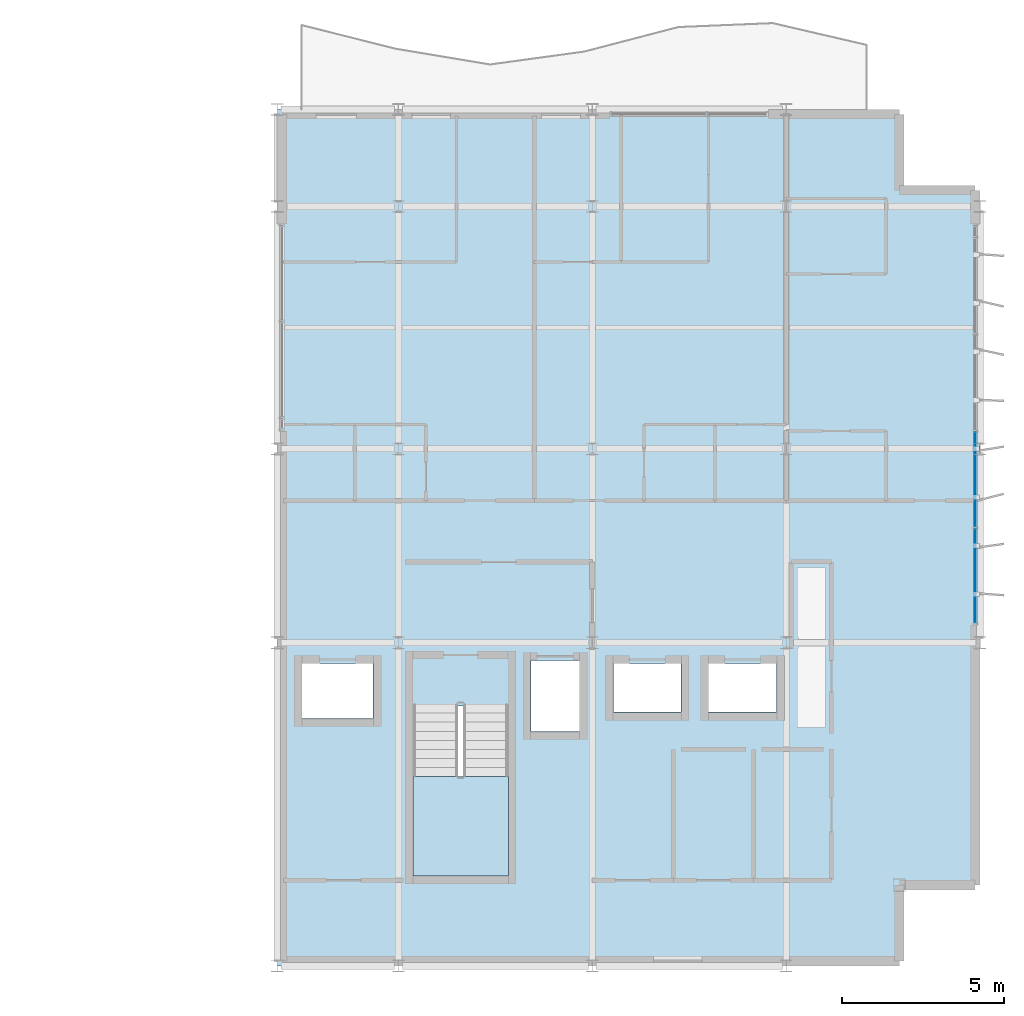
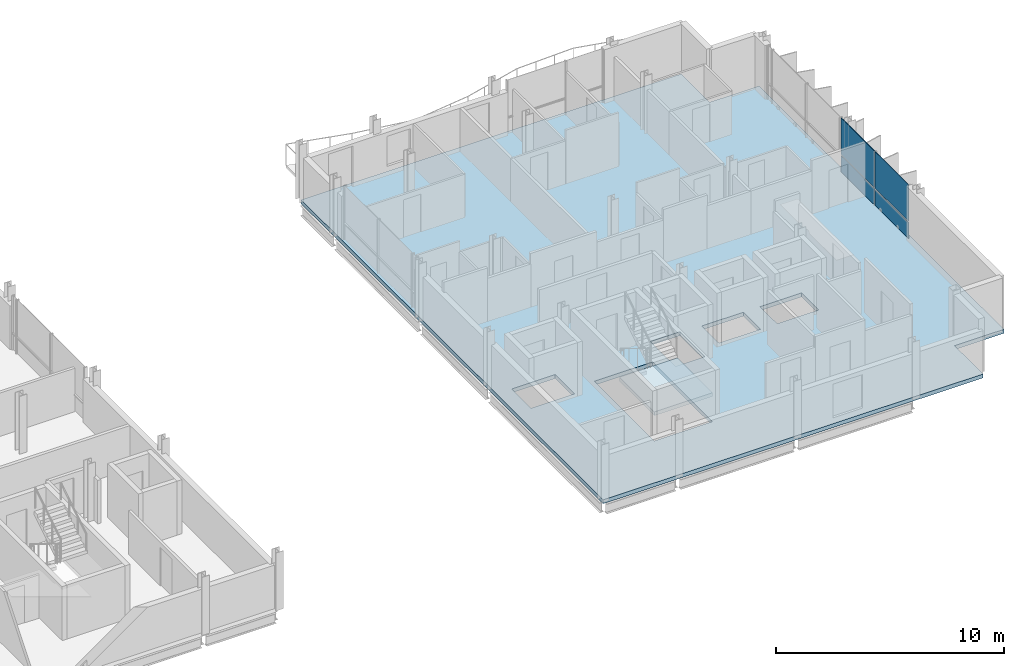
# One storey, part 18 of 30: 4 plates, 2 slabs, 2 elements without a shape of their own.
"""IFC4 building model written with IfcOpenShell, lengths in metres."""

from ifc_helpers import new_model, si_unit, direction, frame, origin, origin_2d, place, context, subcontext, project, spatial, polyline, rectangle, outline, extrude, material, layer, layer_set, type_object, element, aggregate, save


model = new_model("IFC4")

# Units and contexts
model_context = context("Model", 3, precision=1e-05, world=origin(), true_north=direction((0.0, 1.0)))
body_context = subcontext(model_context, "Body", "Model", "MODEL_VIEW")
ifc_project = project(units=[si_unit("LENGTHUNIT", "METRE"), si_unit("AREAUNIT", "SQUARE_METRE"), si_unit("VOLUMEUNIT", "CUBIC_METRE"), si_unit("PLANEANGLEUNIT", "RADIAN"), si_unit("MASSUNIT", "GRAM", prefix="KILO")], contexts=[model_context])

# Site, building, storey
site_placement = place(None, origin())
site = spatial("IfcSite", under=ifc_project, at=site_placement, CompositionType="ELEMENT")
building_placement = place(site_placement, origin())
building = spatial("IfcBuilding", under=site, at=building_placement, Name="Brevholm Reach", CompositionType="ELEMENT")
storey_placement = place(building_placement, frame((0.0, 0.0, 204.89990234375)))
storey = spatial("IfcBuildingStorey", under=building, at=storey_placement, Name="L62", CompositionType="ELEMENT", Elevation=204.89990234375)

# Curtain wall, plates
ifc_material_1 = material(Name="Dark Anodised Aluminium 6063-T6 and Solar-Control Glass", Category="aluminium")
ifc_layer_1 = layer(ifc_material_1, 0.14990234375)
ifc_layer_set_1 = layer_set([ifc_layer_1], Name="Dark Anodised Aluminium 6063-T6 and Solar-Control Glass")
curtain_wall_type = type_object("IfcCurtainWallType", Name="CW-01", PredefinedType="NOTDEFINED", material=ifc_layer_set_1)
curtain_wall_placement = place(storey_placement, origin())
curtain_wall = element("IfcCurtainWall", 1, at=curtain_wall_placement, inside=storey, type_object=curtain_wall_type, Name="L62 Curtain Wall CW-01", PredefinedType="NOTDEFINED")
ifc_material_2 = material(Name="Dark Solar-Control Double-Glazed IGU Glass", Category="glass")
ifc_layer_2 = layer(ifc_material_2, 0.028076171875)
ifc_layer_set_2 = layer_set([ifc_layer_2], Name="Dark Solar-Control Double-Glazed IGU Glass")
plate_type = type_object("IfcPlateType", Name="CWP-GLZ-28", PredefinedType="CURTAIN_PANEL", material=ifc_layer_set_2)
plate_1_placement = place(storey_placement, frame((59.85009765625, 12.066162109375, 0.0), z_axis=(0.0, 0.0, 1.0), x_axis=(0.0, 1.0, 0.0)))
plate_1 = element("IfcPlate", 2, at=plate_1_placement, type_object=plate_type, Name="CP-01 Glazing Panel 1.1", PredefinedType="CURTAIN_PANEL", context=body_context, shape_type="SweptSolid", body=[
    extrude(rectangle(XDim=2.902587890625, YDim=0.028076171875, at=origin_2d()), origin(), (0.0, 0.0, 1.0), 0.867431640625),
])
plate_2_placement = place(storey_placement, frame((59.85009765625, 12.066162109375, 0.9326171875), z_axis=(0.0, 0.0, 1.0), x_axis=(0.0, 1.0, 0.0)))
plate_2 = element("IfcPlate", 3, at=plate_2_placement, type_object=plate_type, Name="CP-01 Glazing Panel 1.2", PredefinedType="CURTAIN_PANEL", context=body_context, shape_type="SweptSolid", body=[
    extrude(rectangle(XDim=2.902587890625, YDim=0.028076171875, at=origin_2d()), origin(), (0.0, 0.0, 1.0), 1.95751953125),
])
plate_3_placement = place(storey_placement, frame((59.85009765625, 15.050048828125, 0.0), z_axis=(0.0, 0.0, 1.0), x_axis=(0.0, 1.0, 0.0)))
plate_3 = element("IfcPlate", 4, at=plate_3_placement, type_object=plate_type, Name="CP-01 Glazing Panel 2.1", PredefinedType="CURTAIN_PANEL", context=body_context, shape_type="SweptSolid", body=[
    extrude(rectangle(XDim=2.93505859375, YDim=0.028076171875, at=origin_2d()), origin(), (0.0, 0.0, 1.0), 0.867431640625),
])
plate_4_placement = place(storey_placement, frame((59.85009765625, 15.050048828125, 0.9326171875), z_axis=(0.0, 0.0, 1.0), x_axis=(0.0, 1.0, 0.0)))
plate_4 = element("IfcPlate", 5, at=plate_4_placement, type_object=plate_type, Name="CP-01 Glazing Panel 2.2", PredefinedType="CURTAIN_PANEL", context=body_context, shape_type="SweptSolid", body=[
    extrude(rectangle(XDim=2.93505859375, YDim=0.028076171875, at=origin_2d()), origin(), (0.0, 0.0, 1.0), 1.95751953125),
])
aggregate(curtain_wall, [plate_1, plate_2, plate_3, plate_4])

# Slab
ifc_material_3 = material(Name="Concrete C40/50", Category="concrete")
ifc_layer_3 = layer(ifc_material_3, 0.2099609375)
ifc_layer_set_3 = layer_set([ifc_layer_3], Name="Concrete C40/50")
slab_type_1 = type_object("IfcSlabType", Name="SLB-FL-210", PredefinedType="FLOOR", material=ifc_layer_set_3)
slab_1_placement = place(storey_placement, frame((0.0, 0.0, -0.2099609375)))
element("IfcSlab", 6, at=slab_1_placement, inside=storey, type_object=slab_type_1, Name="L62 Suspended Floor Slab (east-wing)", PredefinedType="FLOOR", context=body_context, shape_type="SweptSolid", body=[
    extrude(outline(polyline([(38.25, 0.0), (57.5, 0.0), (57.5, 2.5), (60.0, 2.5), (60.0, 24.0), (57.5, 24.0), (57.5, 26.5), (38.25, 26.5), (38.25, 0.0)]), holes=[polyline([(42.449951171875, 2.780029296875), (45.39990234375, 2.780029296875), (45.39990234375, 8.044921875), (42.449951171875, 8.044921875), (42.449951171875, 2.780029296875)]), polyline([(46.10009765625, 7.25), (47.60009765625, 7.25), (47.60009765625, 9.449951171875), (46.10009765625, 9.449951171875), (46.10009765625, 7.25)]), polyline([(39.02001953125, 7.64990234375), (41.219970703125, 7.64990234375), (41.219970703125, 9.35009765625), (39.02001953125, 9.35009765625), (39.02001953125, 7.64990234375)]), polyline([(48.64990234375, 7.85009765625), (50.75, 7.85009765625), (50.75, 9.35009765625), (48.64990234375, 9.35009765625), (48.64990234375, 7.85009765625)]), polyline([(51.60009765625, 7.85009765625), (53.699951171875, 7.85009765625), (53.699951171875, 9.35009765625), (51.60009765625, 9.35009765625), (51.60009765625, 7.85009765625)])]), origin(), (0.0, 0.0, 1.0), 0.2099609375),
])

# Stair, slab
ifc_material_4 = material(Name="Precast Concrete C40/50", Category="concrete")
stair_type = type_object("IfcStairType", Name="STR-ESC-1400", PredefinedType="DOUBLE_RETURN_STAIR", material=ifc_material_4)
stair_placement = place(storey_placement, origin())
stair = element("IfcStair", 7, at=stair_placement, inside=storey, type_object=stair_type, Name="L62 ST-2", PredefinedType="DOUBLE_RETURN_STAIR")
ifc_material_5 = material(Name="Concrete C40/50", Category="concrete")
ifc_layer_4 = layer(ifc_material_5, 0.199951171875)
ifc_layer_set_4 = layer_set([ifc_layer_4], Name="Concrete C40/50")
slab_type_2 = type_object("IfcSlabType", Name="SLB-LND-200", PredefinedType="LANDING", material=ifc_layer_set_4)
slab_2_placement = place(storey_placement, frame((0.0, 0.0, 1.35009765625)))
slab_2 = element("IfcSlab", 8, at=slab_2_placement, type_object=slab_type_2, Name="ST-2 landing 1", PredefinedType="LANDING", context=body_context, shape_type="SweptSolid", body=[
    extrude(outline(polyline([(42.449951171875, 5.860107421875), (42.449951171875, 2.780029296875), (45.39990234375, 2.780029296875), (45.39990234375, 5.860107421875), (42.449951171875, 5.860107421875)])), origin(), (0.0, 0.0, 1.0), 0.199951171875),
])
aggregate(stair, [slab_2])

save(model, "model.ifc")
